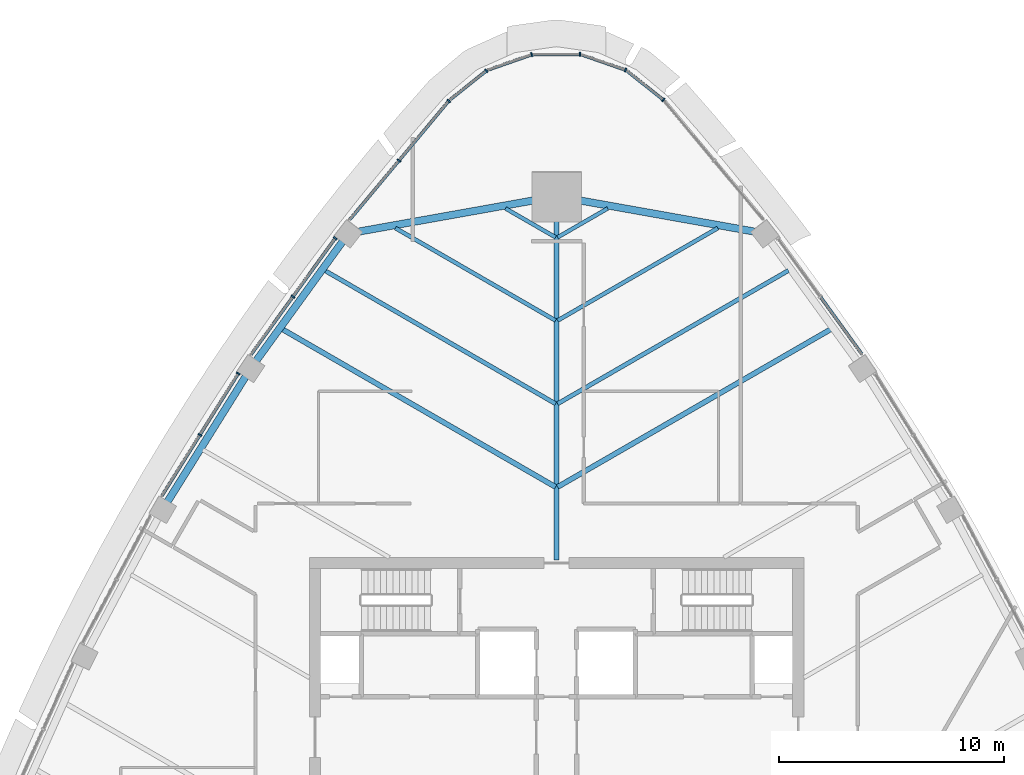
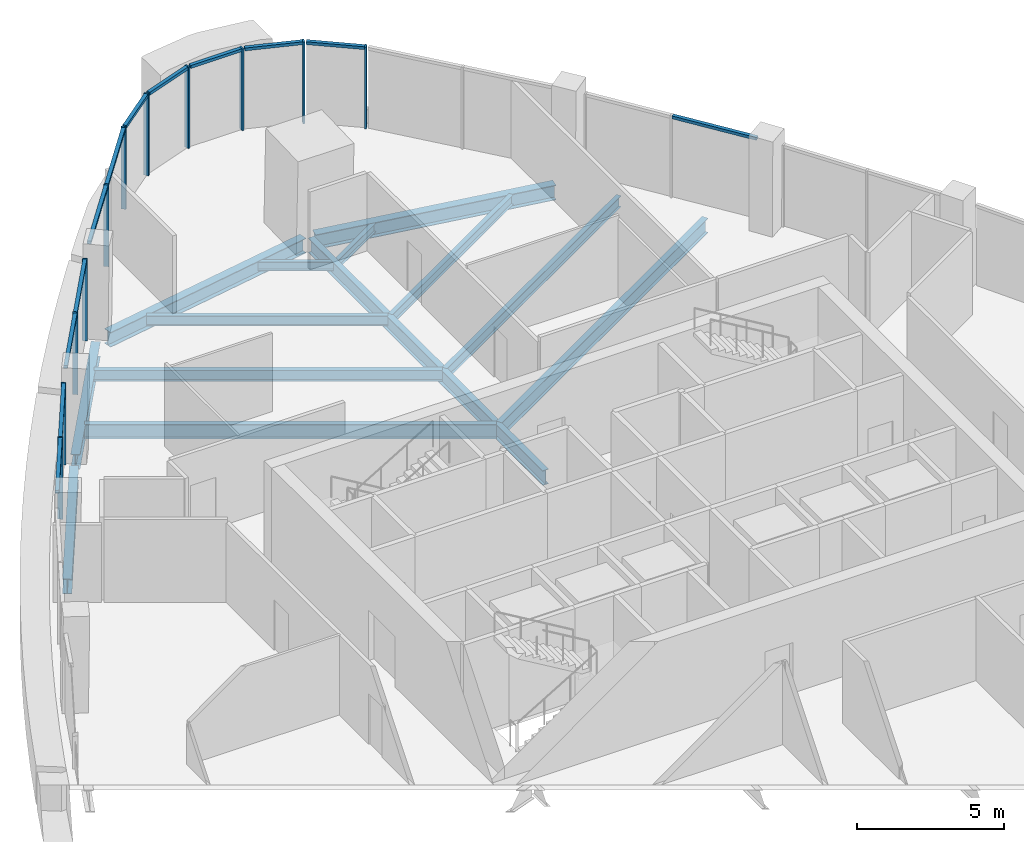
# One storey, part 5 of 15: 23 members, 13 beams, 9 elements without a shape of their own.
"""IFC4 building model written with IfcOpenShell, lengths in metres."""

from ifc_helpers import new_model, si_unit, direction, frame, origin, origin_2d, place, context, subcontext, project, spatial, rectangle, i_section, extrude, material, layer, layer_set, material_profile, profile_set, type_object, element, aggregate, save


model = new_model("IFC4")

# Units and contexts
model_context = context("Model", 3, precision=1e-05, world=origin(), true_north=direction((0.0, 1.0)))
body_context = subcontext(model_context, "Body", "Model", "MODEL_VIEW")
ifc_project = project(units=[si_unit("LENGTHUNIT", "METRE"), si_unit("AREAUNIT", "SQUARE_METRE"), si_unit("VOLUMEUNIT", "CUBIC_METRE"), si_unit("PLANEANGLEUNIT", "RADIAN"), si_unit("MASSUNIT", "GRAM", prefix="KILO")], contexts=[model_context])

# Site, building, storey
site_placement = place(None, origin())
site = spatial("IfcSite", under=ifc_project, at=site_placement, CompositionType="ELEMENT")
building_placement = place(site_placement, origin())
building = spatial("IfcBuilding", under=site, at=building_placement, Name="Sierra Prisma Convention Tower", CompositionType="ELEMENT")
storey_placement = place(building_placement, frame((0.0, 0.0, 283.0)))
storey = spatial("IfcBuildingStorey", under=building, at=storey_placement, Name="L64", CompositionType="ELEMENT", Elevation=283.0)

# Curtain wall, member
ifc_material_1 = material(Name="Aluminium and glass curtain wall", Category="aluminium")
ifc_layer = layer(ifc_material_1, 0.179931640625)
ifc_layer_set = layer_set([ifc_layer], Name="CW-1 Plain shaft curtain wall")
curtain_wall_type = type_object("IfcCurtainWallType", Name="CW-1 Plain shaft curtain wall", PredefinedType="NOTDEFINED", material=ifc_layer_set)
curtain_wall_1_placement = place(storey_placement, origin())
curtain_wall_1 = element("IfcCurtainWall", 1, at=curtain_wall_1_placement, inside=storey, type_object=curtain_wall_type, Name="CW-1 N1 L64", PredefinedType="NOTDEFINED")
ifc_material_2 = material(Name="Aluminium 6063-T6 bronze anodised", Category="aluminium")
ifc_material_profile_1 = material_profile(ifc_material_2, rectangle(XDim=0.179931640625, YDim=0.070068359375, at=origin_2d()), Name="ALU MULLION 70x180")
ifc_profile_set_1 = profile_set([ifc_material_profile_1], Name="Aluminium 6063-T6 bronze anodised")
member_type_1 = type_object("IfcMemberType", Name="CW mullion bronze", PredefinedType="MULLION", material=ifc_profile_set_1)
member_1_placement = place(storey_placement, frame((4.747802734375, 28.362548828125, 0.0), z_axis=(0.0, 0.0, 1.0), x_axis=(-0.623161242244, -0.782093387112, 0.0)))
member_1 = element("IfcMember", 2, at=member_1_placement, type_object=member_type_1, Name="CW-1 mullion N1.1", PredefinedType="MULLION", context=body_context, shape_type="SweptSolid", body=[
    extrude(rectangle(XDim=0.179931640625, YDim=0.070068359375, at=origin_2d()), origin(), (0.0, 0.0, 1.0), 3.39990234375),
])

curtain_wall_2_placement = place(storey_placement, origin())
curtain_wall_2 = element("IfcCurtainWall", 3, at=curtain_wall_2_placement, inside=storey, type_object=curtain_wall_type, Name="CW-1 N2 L64", PredefinedType="NOTDEFINED")
member_2_placement = place(storey_placement, frame((3.064453125, 29.689208984375, 0.0), z_axis=(0.0, 0.0, 1.0), x_axis=(-0.330080757458, -0.943952696673, 0.0)))
member_2 = element("IfcMember", 4, at=member_2_placement, type_object=member_type_1, Name="CW-1 mullion N2.1", PredefinedType="MULLION", context=body_context, shape_type="SweptSolid", body=[
    extrude(rectangle(XDim=0.179931640625, YDim=0.070068359375, at=origin_2d()), origin(), (0.0, 0.0, 1.0), 3.39990234375),
])

curtain_wall_3_placement = place(storey_placement, origin())
curtain_wall_3 = element("IfcCurtainWall", 5, at=curtain_wall_3_placement, inside=storey, type_object=curtain_wall_type, Name="CW-1 N3 L64", PredefinedType="NOTDEFINED")
member_3_placement = place(storey_placement, frame((1.03759765625, 30.3857421875, 0.0), z_axis=(0.0, 0.0, 1.0), x_axis=(0.0, -1.0, 0.0)))
member_3 = element("IfcMember", 6, at=member_3_placement, type_object=member_type_1, Name="CW-1 mullion N3.1", PredefinedType="MULLION", context=body_context, shape_type="SweptSolid", body=[
    extrude(rectangle(XDim=0.179931640625, YDim=0.070068359375, at=origin_2d()), origin(), (0.0, 0.0, 1.0), 3.39990234375),
])

curtain_wall_4_placement = place(storey_placement, origin())
curtain_wall_4 = element("IfcCurtainWall", 7, at=curtain_wall_4_placement, inside=storey, type_object=curtain_wall_type, Name="CW-1 N4 L64", PredefinedType="NOTDEFINED")
member_4_placement = place(storey_placement, frame((-1.105712890625, 30.3740234375, 0.0), z_axis=(0.0, 0.0, 1.0), x_axis=(0.330080757458, -0.943952696673, 0.0)))
member_4 = element("IfcMember", 8, at=member_4_placement, type_object=member_type_1, Name="CW-1 mullion N4.1", PredefinedType="MULLION", context=body_context, shape_type="SweptSolid", body=[
    extrude(rectangle(XDim=0.179931640625, YDim=0.070068359375, at=origin_2d()), origin(), (0.0, 0.0, 1.0), 3.39990234375),
])

curtain_wall_5_placement = place(storey_placement, origin())
curtain_wall_5 = element("IfcCurtainWall", 9, at=curtain_wall_5_placement, inside=storey, type_object=curtain_wall_type, Name="CW-1 N5 L64", PredefinedType="NOTDEFINED")
member_5_placement = place(storey_placement, frame((-3.124755859375, 29.65576171875, 0.0), z_axis=(0.0, 0.0, 1.0), x_axis=(0.623161242244, -0.782093387112, 0.0)))
member_5 = element("IfcMember", 10, at=member_5_placement, type_object=member_type_1, Name="CW-1 mullion N5.1", PredefinedType="MULLION", context=body_context, shape_type="SweptSolid", body=[
    extrude(rectangle(XDim=0.179931640625, YDim=0.070068359375, at=origin_2d()), origin(), (0.0, 0.0, 1.0), 3.39990234375),
])

# Curtain wall, members
curtain_wall_6_placement = place(storey_placement, origin())
curtain_wall_6 = element("IfcCurtainWall", 11, at=curtain_wall_6_placement, inside=storey, type_object=curtain_wall_type, Name="CW-1 NW1 L64", PredefinedType="NOTDEFINED")
member_6_placement = place(storey_placement, frame((-4.797607421875, 28.31396484375, 0.0), z_axis=(0.0, 0.0, 1.0), x_axis=(0.767763706667, -0.640733088521, 0.0)))
member_6 = element("IfcMember", 12, at=member_6_placement, type_object=member_type_1, Name="CW-1 mullion NW1.1", PredefinedType="MULLION", context=body_context, shape_type="SweptSolid", body=[
    extrude(rectangle(XDim=0.179931640625, YDim=0.070068359375, at=origin_2d()), origin(), (0.0, 0.0, 1.0), 3.39990234375),
])
member_7_placement = place(storey_placement, frame((-7.013427734375, 25.65869140625, 0.0), z_axis=(0.0, 0.0, 1.0), x_axis=(0.767763706667, -0.640733088521, 0.0)))
member_7 = element("IfcMember", 13, at=member_7_placement, type_object=member_type_1, Name="CW-1 mullion NW1.2", PredefinedType="MULLION", context=body_context, shape_type="SweptSolid", body=[
    extrude(rectangle(XDim=0.179931640625, YDim=0.070068359375, at=origin_2d()), origin(), (0.0, 0.0, 1.0), 3.39990234375),
])

curtain_wall_7_placement = place(storey_placement, origin())
curtain_wall_7 = element("IfcCurtainWall", 14, at=curtain_wall_7_placement, inside=storey, type_object=curtain_wall_type, Name="CW-1 NW2 L64", PredefinedType="NOTDEFINED")
member_8_placement = place(storey_placement, frame((-9.85009765625, 22.202880859375, 0.0), z_axis=(0.0, 0.0, 1.0), x_axis=(0.80996074746, -0.586484089788, 0.0)))
member_8 = element("IfcMember", 15, at=member_8_placement, type_object=member_type_1, Name="CW-1 mullion NW2.1", PredefinedType="MULLION", context=body_context, shape_type="SweptSolid", body=[
    extrude(rectangle(XDim=0.179931640625, YDim=0.070068359375, at=origin_2d()), origin(), (0.0, 0.0, 1.0), 3.39990234375),
])
member_9_placement = place(storey_placement, frame((-11.733642578125, 19.601806640625, 0.0), z_axis=(0.0, 0.0, 1.0), x_axis=(0.80996074746, -0.586484089788, 0.0)))
member_9 = element("IfcMember", 16, at=member_9_placement, type_object=member_type_1, Name="CW-1 mullion NW2.2", PredefinedType="MULLION", context=body_context, shape_type="SweptSolid", body=[
    extrude(rectangle(XDim=0.179931640625, YDim=0.070068359375, at=origin_2d()), origin(), (0.0, 0.0, 1.0), 3.39990234375),
])

curtain_wall_8_placement = place(storey_placement, origin())
curtain_wall_8 = element("IfcCurtainWall", 17, at=curtain_wall_8_placement, inside=storey, type_object=curtain_wall_type, Name="CW-1 NW3 L64", PredefinedType="NOTDEFINED")
member_10_placement = place(storey_placement, frame((-14.164794921875, 16.186279296875, 0.0), z_axis=(0.0, 0.0, 1.0), x_axis=(0.848331902931, -0.529464807583, 0.0)))
member_10 = element("IfcMember", 18, at=member_10_placement, type_object=member_type_1, Name="CW-1 mullion NW3.1", PredefinedType="MULLION", context=body_context, shape_type="SweptSolid", body=[
    extrude(rectangle(XDim=0.179931640625, YDim=0.070068359375, at=origin_2d()), origin(), (0.0, 0.0, 1.0), 3.39990234375),
])
member_11_placement = place(storey_placement, frame((-15.873291015625, 13.448486328125, 0.0), z_axis=(0.0, 0.0, 1.0), x_axis=(0.848331902931, -0.529464807583, 0.0)))
member_11 = element("IfcMember", 19, at=member_11_placement, type_object=member_type_1, Name="CW-1 mullion NW3.2", PredefinedType="MULLION", context=body_context, shape_type="SweptSolid", body=[
    extrude(rectangle(XDim=0.179931640625, YDim=0.070068359375, at=origin_2d()), origin(), (0.0, 0.0, 1.0), 3.39990234375),
])

# Curtain wall, member
curtain_wall_9_placement = place(storey_placement, origin())
curtain_wall_9 = element("IfcCurtainWall", 20, at=curtain_wall_9_placement, inside=storey, type_object=curtain_wall_type, Name="CW-1 NE5 L64", PredefinedType="NOTDEFINED")
ifc_material_3 = material(Name="Aluminium 6063-T6 bronze anodised", Category="aluminium")
ifc_material_profile_2 = material_profile(ifc_material_3, rectangle(XDim=0.139892578125, YDim=0.1201171875, at=origin_2d()), Name="ALU TRANSOM 120x140")
ifc_profile_set_2 = profile_set([ifc_material_profile_2], Name="Aluminium 6063-T6 bronze anodised")
member_type_2 = type_object("IfcMemberType", Name="CW transom bronze", PredefinedType="USERDEFINED", material=ifc_profile_set_2)
member_12_placement = place(storey_placement, frame((13.596435546875, 17.029052734375, 3.340087890625), z_axis=(-0.586451811134, 0.809984119114, 0.0), x_axis=(-0.809984119114, -0.586451811134, 0.0)))
member_12 = element("IfcMember", 21, at=member_12_placement, type_object=member_type_2, Name="CW-1 transom NE5.1", ObjectType="TRANSOM", PredefinedType="USERDEFINED", context=body_context, shape_type="SweptSolid", body=[
    extrude(rectangle(XDim=0.139892578125, YDim=0.1201171875, at=origin_2d()), origin(), (0.0, 0.0, 1.0), 3.142333984375),
])
aggregate(curtain_wall_9, [member_12])

# Member
member_13_placement = place(storey_placement, frame((4.720458984375, 28.384521484375, 3.340087890625), z_axis=(-0.78207902357, 0.623179268664, 0.0), x_axis=(-0.623179268664, -0.78207902357, 0.0)))
member_13 = element("IfcMember", 22, at=member_13_placement, type_object=member_type_2, Name="CW-1 transom N1.1", ObjectType="TRANSOM", PredefinedType="USERDEFINED", context=body_context, shape_type="SweptSolid", body=[
    extrude(rectangle(XDim=0.139892578125, YDim=0.1201171875, at=origin_2d()), origin(), (0.0, 0.0, 1.0), 2.005126953125),
])

aggregate(curtain_wall_1, [member_1, member_13])

member_14_placement = place(storey_placement, frame((3.031494140625, 29.70068359375, 3.340087890625), z_axis=(-0.943955122099, 0.330073821232, 0.0), x_axis=(-0.330073821232, -0.943955122099, 0.0)))
member_14 = element("IfcMember", 23, at=member_14_placement, type_object=member_type_2, Name="CW-1 transom N2.1", ObjectType="TRANSOM", PredefinedType="USERDEFINED", context=body_context, shape_type="SweptSolid", body=[
    extrude(rectangle(XDim=0.139892578125, YDim=0.1201171875, at=origin_2d()), origin(), (0.0, 0.0, 1.0), 2.005126953125),
])

aggregate(curtain_wall_2, [member_2, member_14])

member_15_placement = place(storey_placement, frame((1.002685546875, 30.3857421875, 3.340087890625), z_axis=(-1.0, 0.0, 0.0), x_axis=(0.0, -1.0, 0.0)))
member_15 = element("IfcMember", 24, at=member_15_placement, type_object=member_type_2, Name="CW-1 transom N3.1", ObjectType="TRANSOM", PredefinedType="USERDEFINED", context=body_context, shape_type="SweptSolid", body=[
    extrude(rectangle(XDim=0.139892578125, YDim=0.1201171875, at=origin_2d()), origin(), (0.0, 0.0, 1.0), 2.00537109375),
])

aggregate(curtain_wall_3, [member_3, member_15])

member_16_placement = place(storey_placement, frame((-1.138671875, 30.362548828125, 3.340087890625), z_axis=(-0.943955122099, -0.330073821232, 0.0), x_axis=(0.330073821232, -0.943955122099, 0.0)))
member_16 = element("IfcMember", 25, at=member_16_placement, type_object=member_type_2, Name="CW-1 transom N4.1", ObjectType="TRANSOM", PredefinedType="USERDEFINED", context=body_context, shape_type="SweptSolid", body=[
    extrude(rectangle(XDim=0.139892578125, YDim=0.1201171875, at=origin_2d()), origin(), (0.0, 0.0, 1.0), 2.005126953125),
])

aggregate(curtain_wall_4, [member_4, member_16])

member_17_placement = place(storey_placement, frame((-3.15234375, 29.634033203125, 3.340087890625), z_axis=(-0.78207902357, -0.623179268664, 0.0), x_axis=(0.623179268664, -0.78207902357, 0.0)))
member_17 = element("IfcMember", 26, at=member_17_placement, type_object=member_type_2, Name="CW-1 transom N5.1", ObjectType="TRANSOM", PredefinedType="USERDEFINED", context=body_context, shape_type="SweptSolid", body=[
    extrude(rectangle(XDim=0.139892578125, YDim=0.1201171875, at=origin_2d()), origin(), (0.0, 0.0, 1.0), 2.005126953125),
])

aggregate(curtain_wall_5, [member_5, member_17])

member_18_placement = place(storey_placement, frame((-4.820068359375, 28.287109375, 3.340087890625), z_axis=(-0.64072998057, -0.76776630038, 0.0), x_axis=(0.76776630038, -0.64072998057, 0.0)))
member_18 = element("IfcMember", 27, at=member_18_placement, type_object=member_type_2, Name="CW-1 transom NW1.1", ObjectType="TRANSOM", PredefinedType="USERDEFINED", context=body_context, shape_type="SweptSolid", body=[
    extrude(rectangle(XDim=0.139892578125, YDim=0.1201171875, at=origin_2d()), origin(), (0.0, 0.0, 1.0), 3.38818359375),
])

member_19_placement = place(storey_placement, frame((-7.035888671875, 25.6318359375, 3.340087890625), z_axis=(-0.64072998057, -0.76776630038, 0.0), x_axis=(0.76776630038, -0.64072998057, 0.0)))
member_19 = element("IfcMember", 28, at=member_19_placement, type_object=member_type_2, Name="CW-1 transom NW1.2", ObjectType="TRANSOM", PredefinedType="USERDEFINED", context=body_context, shape_type="SweptSolid", body=[
    extrude(rectangle(XDim=0.139892578125, YDim=0.1201171875, at=origin_2d()), origin(), (0.0, 0.0, 1.0), 3.38818359375),
])

aggregate(curtain_wall_6, [member_6, member_7, member_18, member_19])

member_20_placement = place(storey_placement, frame((-9.87060546875, 22.174560546875, 3.340087890625), z_axis=(-0.586511570123, -0.809940848526, 0.0), x_axis=(0.809940848526, -0.586511570123, 0.0)))
member_20 = element("IfcMember", 29, at=member_20_placement, type_object=member_type_2, Name="CW-1 transom NW2.1", ObjectType="TRANSOM", PredefinedType="USERDEFINED", context=body_context, shape_type="SweptSolid", body=[
    extrude(rectangle(XDim=0.139892578125, YDim=0.1201171875, at=origin_2d()), origin(), (0.0, 0.0, 1.0), 3.1416015625),
])

member_21_placement = place(storey_placement, frame((-11.754150390625, 19.573486328125, 3.340087890625), z_axis=(-0.58646058558, -0.80997776609, 0.0), x_axis=(0.80997776609, -0.58646058558, 0.0)))
member_21 = element("IfcMember", 30, at=member_21_placement, type_object=member_type_2, Name="CW-1 transom NW2.2", ObjectType="TRANSOM", PredefinedType="USERDEFINED", context=body_context, shape_type="SweptSolid", body=[
    extrude(rectangle(XDim=0.139892578125, YDim=0.1201171875, at=origin_2d()), origin(), (0.0, 0.0, 1.0), 3.141357421875),
])

aggregate(curtain_wall_7, [member_8, member_9, member_20, member_21])

member_22_placement = place(storey_placement, frame((-14.18310546875, 16.156494140625, 3.340087890625), z_axis=(-0.529540109334, -0.848284900612, 0.0), x_axis=(0.848284900612, -0.529540109334, 0.0)))
member_22 = element("IfcMember", 31, at=member_22_placement, type_object=member_type_2, Name="CW-1 transom NW3.1", ObjectType="TRANSOM", PredefinedType="USERDEFINED", context=body_context, shape_type="SweptSolid", body=[
    extrude(rectangle(XDim=0.139892578125, YDim=0.1201171875, at=origin_2d()), origin(), (0.0, 0.0, 1.0), 3.1572265625),
])

member_23_placement = place(storey_placement, frame((-15.891845703125, 13.418701171875, 3.340087890625), z_axis=(-0.529484461885, -0.848319635882, 0.0), x_axis=(0.848319635882, -0.529484461885, 0.0)))
member_23 = element("IfcMember", 32, at=member_23_placement, type_object=member_type_2, Name="CW-1 transom NW3.2", ObjectType="TRANSOM", PredefinedType="USERDEFINED", context=body_context, shape_type="SweptSolid", body=[
    extrude(rectangle(XDim=0.139892578125, YDim=0.1201171875, at=origin_2d()), origin(), (0.0, 0.0, 1.0), 3.156982421875),
])

aggregate(curtain_wall_8, [member_10, member_11, member_22, member_23])

# Beams
ifc_material_4 = material(Name="Steel ASTM A992 Gr 50", Category="steel")
ifc_material_profile_3 = material_profile(ifc_material_4, i_section(OverallWidth=0.172119140625, OverallDepth=0.35791015625, WebThickness=0.0078125, FlangeThickness=0.01318359375, at=origin_2d()), Name="W360x57")
ifc_profile_set_3 = profile_set([ifc_material_profile_3], Name="Steel ASTM A992 Gr 50")
beam_type_1 = type_object("IfcBeamType", Name="Floor joist W360x57", PredefinedType="JOIST", material=ifc_profile_set_3)
for number, where, z_axis, x_axis, name in (
    (33, (2.274658203125, 23.53076171875, -0.3291015625), (-0.866051307416, -0.49995513091, 0.0), (0.49995513091, -0.866051307416, 0.0), "Floor joist L64 NE13"),
    (34, (-2.274658203125, 23.53076171875, -0.3291015625), (0.866051307416, -0.49995513091, 0.0), (0.49995513091, 0.866051307416, 0.0), "Floor joist L64 NW01"),
):
    element("IfcBeam", number, at=place(storey_placement, frame(where, z_axis=z_axis, x_axis=x_axis)), inside=storey, type_object=beam_type_1, Name=name, PredefinedType="JOIST", context=body_context, shape_type="SweptSolid", body=[
        extrude(i_section(OverallWidth=0.172119140625, OverallDepth=0.35791015625, WebThickness=0.0078125, FlangeThickness=0.01318359375, at=origin_2d()), origin(), (0.0, 0.0, 1.0), 2.573486328125),
    ])
ifc_material_5 = material(Name="Steel ASTM A992 Gr 50", Category="steel")
ifc_material_profile_4 = material_profile(ifc_material_5, i_section(OverallWidth=0.177978515625, OverallDepth=0.406982421875, WebThickness=0.0078125, FlangeThickness=0.0126953125, at=origin_2d()), Name="W410x60")
ifc_profile_set_4 = profile_set([ifc_material_profile_4], Name="Steel ASTM A992 Gr 50")
beam_type_2 = type_object("IfcBeamType", Name="Floor joist W410x60", PredefinedType="JOIST", material=ifc_profile_set_4)
for number, where, z_axis, x_axis, name in (
    (35, (7.174560546875, 22.65673828125, -0.353515625), (-0.86602605248, -0.499998876424, 0.0), (0.499998876424, -0.86602605248, 0.0), "Floor joist L64 NE12"),
    (36, (-7.174560546875, 22.65673828125, -0.353515625), (0.86602605248, -0.499998876424, 0.0), (0.499998876424, 0.86602605248, 0.0), "Floor joist L64 NW02"),
):
    element("IfcBeam", number, at=place(storey_placement, frame(where, z_axis=z_axis, x_axis=x_axis)), inside=storey, type_object=beam_type_2, Name=name, PredefinedType="JOIST", context=body_context, shape_type="SweptSolid", body=[
        extrude(i_section(OverallWidth=0.177978515625, OverallDepth=0.406982421875, WebThickness=0.0078125, FlangeThickness=0.0126953125, at=origin_2d()), origin(), (0.0, 0.0, 1.0), 8.2314453125),
    ])
ifc_material_6 = material(Name="Steel ASTM A992 Gr 50", Category="steel")
ifc_material_profile_5 = material_profile(ifc_material_6, i_section(OverallWidth=0.18994140625, OverallDepth=0.45703125, WebThickness=0.009033203125, FlangeThickness=0.014404296875, at=origin_2d()), Name="W460x74")
ifc_profile_set_5 = profile_set([ifc_material_profile_5], Name="Steel ASTM A992 Gr 50")
beam_type_3 = type_object("IfcBeamType", Name="Floor joist W460x74", PredefinedType="JOIST", material=ifc_profile_set_5)
for number, where, z_axis, x_axis, name in (
    (37, (10.317626953125, 20.7685546875, -0.37841796875), (-0.866024137018, -0.500002194098, 0.0), (0.500002194098, -0.866024137018, 0.0), "Floor joist L64 NE11"),
    (38, (-10.317626953125, 20.7685546875, -0.37841796875), (0.866024137018, -0.500002194098, 0.0), (0.500002194098, 0.866024137018, 0.0), "Floor joist L64 NW03"),
):
    element("IfcBeam", number, at=place(storey_placement, frame(where, z_axis=z_axis, x_axis=x_axis)), inside=storey, type_object=beam_type_3, Name=name, PredefinedType="JOIST", context=body_context, shape_type="SweptSolid", body=[
        extrude(i_section(OverallWidth=0.18994140625, OverallDepth=0.45703125, WebThickness=0.009033203125, FlangeThickness=0.014404296875, at=origin_2d()), origin(), (0.0, 0.0, 1.0), 11.86083984375),
    ])
ifc_material_7 = material(Name="Steel ASTM A992 Gr 50", Category="steel")
ifc_material_profile_6 = material_profile(ifc_material_7, i_section(OverallWidth=0.22802734375, OverallDepth=0.60302734375, WebThickness=0.010498046875, FlangeThickness=0.014892578125, at=origin_2d()), Name="W610x101")
ifc_profile_set_6 = profile_set([ifc_material_profile_6], Name="Steel ASTM A992 Gr 50")
beam_type_4 = type_object("IfcBeamType", Name="Floor joist W610x101", PredefinedType="JOIST", material=ifc_profile_set_6)
for number, where, z_axis, x_axis, name in (
    (39, (12.20849609375, 18.1572265625, -0.451416015625), (-0.866028683545, -0.499994319245, 0.0), (0.499994319245, -0.866028683545, 0.0), "Floor joist L64 NE10"),
    (40, (-12.20849609375, 18.1572265625, -0.451416015625), (0.866028683545, -0.499994319245, 0.0), (0.499994319245, 0.866028683545, 0.0), "Floor joist L64 NW04"),
):
    element("IfcBeam", number, at=place(storey_placement, frame(where, z_axis=z_axis, x_axis=x_axis)), inside=storey, type_object=beam_type_4, Name=name, PredefinedType="JOIST", context=body_context, shape_type="SweptSolid", body=[
        extrude(i_section(OverallWidth=0.22802734375, OverallDepth=0.60302734375, WebThickness=0.010498046875, FlangeThickness=0.014892578125, at=origin_2d()), origin(), (0.0, 0.0, 1.0), 14.044189453125),
    ])
ifc_material_8 = material(Name="Steel ASTM A992 Gr 50", Category="steel")
ifc_material_profile_7 = material_profile(ifc_material_8, i_section(OverallWidth=0.22998046875, OverallDepth=0.616943359375, WebThickness=0.01318359375, FlangeThickness=0.022216796875, at=origin_2d()), Name="W610x140")
ifc_profile_set_7 = profile_set([ifc_material_profile_7], Name="Steel ASTM A992 Gr 50")
beam_type_5 = type_object("IfcBeamType", Name="Radial girder W610x140", PredefinedType="BEAM", material=ifc_profile_set_7)
beam_placement = place(storey_placement, frame((0.0, 23.848876953125, -0.45849609375), z_axis=(0.0, -1.0, 0.0), x_axis=(1.0, 0.0, 0.0)))
element("IfcBeam", 41, at=beam_placement, inside=storey, type_object=beam_type_5, Name="Radial girder L64 N", PredefinedType="BEAM", context=body_context, shape_type="SweptSolid", body=[
    extrude(i_section(OverallWidth=0.22998046875, OverallDepth=0.616943359375, WebThickness=0.01318359375, FlangeThickness=0.022216796875, at=origin_2d()), origin(), (0.0, 0.0, 1.0), 15.968994140625),
])
ifc_material_9 = material(Name="Steel ASTM A992 Gr 50", Category="steel")
ifc_material_profile_8 = material_profile(ifc_material_9, i_section(OverallWidth=0.324951171875, OverallDepth=0.615966796875, WebThickness=0.013916015625, FlangeThickness=0.021484375, at=origin_2d()), Name="W610x174")
ifc_profile_set_8 = profile_set([ifc_material_profile_8], Name="Steel ASTM A992 Gr 50")
beam_type_6 = type_object("IfcBeamType", Name="Spandrel beam W610x174", PredefinedType="BEAM", material=ifc_profile_set_8)
for number, where, z_axis, x_axis, name in (
    (42, (8.78564453125, 22.501708984375, -0.4580078125), (-0.984457562681, 0.175622627471, 0.0), (-0.175622627471, -0.984457562681, 0.0), "Spandrel L64-12"),
    (43, (-0.219970703125, 24.02978515625, -0.4580078125), (-0.984457562681, -0.175622627471, 0.0), (0.175622627471, -0.984457562681, 0.0), "Spandrel L64-13"),
):
    element("IfcBeam", number, at=place(storey_placement, frame(where, z_axis=z_axis, x_axis=x_axis)), inside=storey, type_object=beam_type_6, Name=name, PredefinedType="BEAM", context=body_context, shape_type="SweptSolid", body=[
        extrude(i_section(OverallWidth=0.324951171875, OverallDepth=0.615966796875, WebThickness=0.013916015625, FlangeThickness=0.021484375, at=origin_2d()), origin(), (0.0, 0.0, 1.0), 8.700927734375),
    ])
for number, where, z_axis, x_axis, name in (
    (44, (-9.45751953125, 22.14892578125, -0.4580078125), (-0.5864934532, -0.809953967428, 0.0), (0.809953967428, -0.5864934532, 0.0), "Spandrel L64-14"),
    (45, (-13.785888671875, 16.13232421875, -0.4580078125), (-0.529475549973, -0.848325198247, 0.0), (0.848325198247, -0.529475549973, 0.0), "Spandrel L64-15"),
):
    element("IfcBeam", number, at=place(storey_placement, frame(where, z_axis=z_axis, x_axis=x_axis)), inside=storey, type_object=beam_type_6, Name=name, PredefinedType="BEAM", context=body_context, shape_type="SweptSolid", body=[
        extrude(i_section(OverallWidth=0.324951171875, OverallDepth=0.615966796875, WebThickness=0.013916015625, FlangeThickness=0.021484375, at=origin_2d()), origin(), (0.0, 0.0, 1.0), 6.751953125),
    ])

save(model, "model.ifc")
